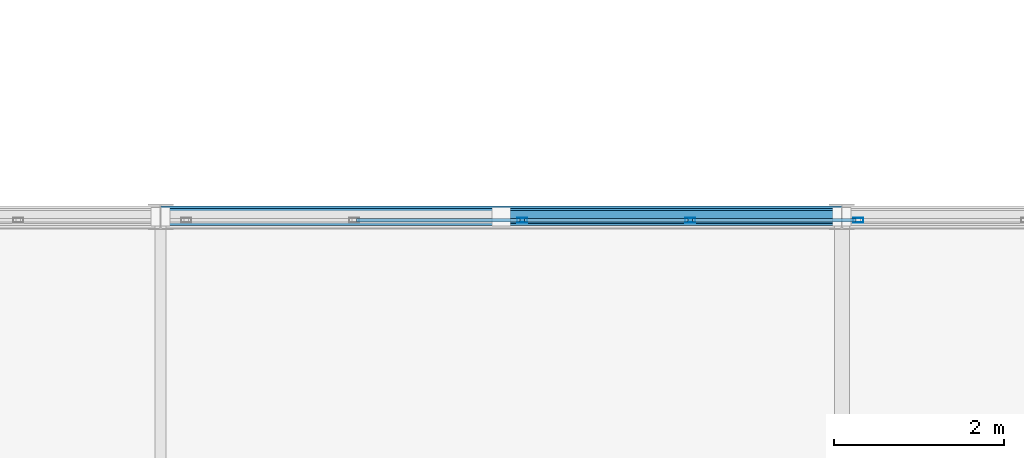
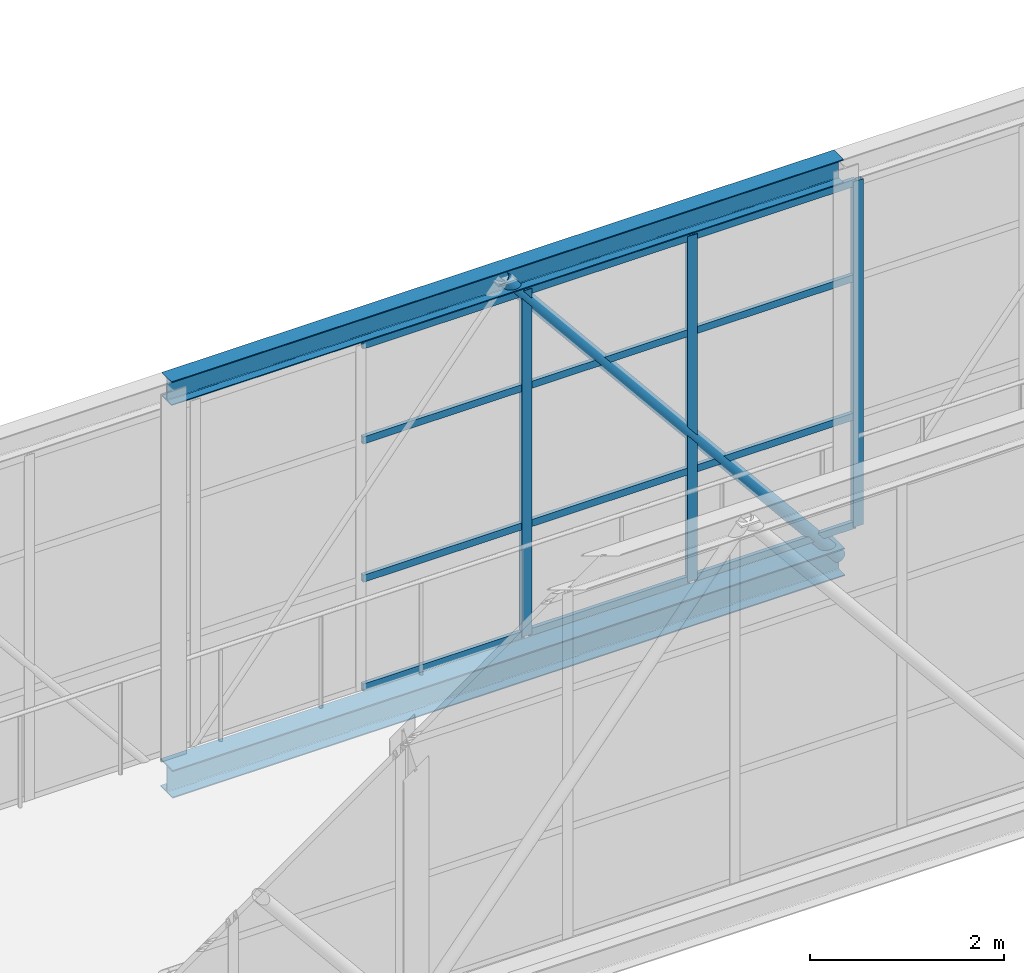
# One storey, part 154 of 248: 18 members, 1 element without a shape of its own.
"""IFC4 building model written with IfcOpenShell, lengths in metres."""

from ifc_helpers import new_model, si_unit, direction, frame, origin, origin_2d, place, context, subcontext, project, spatial, hollow_rectangle, hollow_circle, i_section, extrude, material, layer, layer_set, material_profile, profile_set, type_object, element, aggregate, save


model = new_model("IFC4")

# Units and contexts
model_context = context("Model", 3, precision=1e-05, world=origin(), true_north=direction((0.0, 1.0)))
body_context = subcontext(model_context, "Body", "Model", "MODEL_VIEW")
ifc_project = project(units=[si_unit("LENGTHUNIT", "METRE"), si_unit("AREAUNIT", "SQUARE_METRE"), si_unit("VOLUMEUNIT", "CUBIC_METRE"), si_unit("PLANEANGLEUNIT", "RADIAN"), si_unit("MASSUNIT", "GRAM", prefix="KILO")], contexts=[model_context])

# Site, building, storey
site_placement = place(None, origin())
site = spatial("IfcSite", under=ifc_project, at=site_placement, CompositionType="ELEMENT")
building_placement = place(site_placement, origin())
building = spatial("IfcBuilding", under=site, at=building_placement, Name="Canggui Botanical Conservatory", CompositionType="ELEMENT")
storey_placement = place(building_placement, frame((0.0, 0.0, 5.39990234375)))
storey = spatial("IfcBuildingStorey", under=building, at=storey_placement, Name="L02", CompositionType="ELEMENT", Elevation=5.39990234375)

# Curtain wall, members
ifc_material_1 = material(Name="Thermally Broken Aluminium", Category="aluminium")
ifc_layer = layer(ifc_material_1, 0.1201171875, Name="Thermally Broken Aluminium", Category="aluminium")
ifc_layer_set = layer_set([ifc_layer], Name="Thermally Broken Aluminium")
curtain_wall_type = type_object("IfcCurtainWallType", Name="CW-STICK-B", PredefinedType="USERDEFINED", material=ifc_layer_set)
curtain_wall_placement = place(storey_placement, origin())
curtain_wall = element("IfcCurtainWall", 1, at=curtain_wall_placement, inside=storey, type_object=curtain_wall_type, Name="Facade Curtain Wall CW-SB-04-2", ObjectType="STICK GLAZED WALL", PredefinedType="USERDEFINED")
ifc_material_profile_1 = material_profile(ifc_material_1, hollow_rectangle(XDim=0.054931640625, YDim=0.1201171875, WallThickness=0.0029296875, at=origin_2d()), Name="CWM 55x120x3")
ifc_profile_set_1 = profile_set([ifc_material_profile_1], Name="Thermally Broken Aluminium")
member_type_1 = type_object("IfcMemberType", Name="CWM-05", PredefinedType="MULLION", material=ifc_profile_set_1)
member_1_placement = place(storey_placement, frame((85.748046875, 79.9599609375, 0.0), z_axis=(0.0, 0.0, 1.0), x_axis=(0.0, 1.0, 0.0)))
member_1 = element("IfcMember", 2, at=member_1_placement, type_object=member_type_1, Name="CW-05 mullion 11", PredefinedType="MULLION", context=body_context, shape_type="SweptSolid", body=[
    extrude(hollow_rectangle(XDim=0.054931640625, YDim=0.1201171875, WallThickness=0.0029296875, at=origin_2d()), origin(), (0.0, 0.0, 1.0), 4.35009765625),
])
member_2_placement = place(storey_placement, frame((87.720947265625, 79.9599609375, 0.0), z_axis=(0.0, 0.0, 1.0), x_axis=(0.0, 1.0, 0.0)))
member_2 = element("IfcMember", 3, at=member_2_placement, type_object=member_type_1, Name="CW-05 mullion 12", PredefinedType="MULLION", context=body_context, shape_type="SweptSolid", body=[
    extrude(hollow_rectangle(XDim=0.054931640625, YDim=0.1201171875, WallThickness=0.0029296875, at=origin_2d()), origin(), (0.0, 0.0, 1.0), 4.35009765625),
])
member_3_placement = place(storey_placement, frame((89.69384765625, 79.9599609375, 0.0), z_axis=(0.0, 0.0, 1.0), x_axis=(0.0, 1.0, 0.0)))
member_3 = element("IfcMember", 4, at=member_3_placement, type_object=member_type_1, Name="CW-05 mullion 13", PredefinedType="MULLION", context=body_context, shape_type="SweptSolid", body=[
    extrude(hollow_rectangle(XDim=0.054931640625, YDim=0.1201171875, WallThickness=0.0029296875, at=origin_2d()), origin(), (0.0, 0.0, 1.0), 4.35009765625),
])
ifc_material_profile_2 = material_profile(ifc_material_1, hollow_rectangle(XDim=0.044921875, YDim=0.090087890625, WallThickness=0.0029296875, at=origin_2d()), Name="CWT 45x90x3")
ifc_profile_set_2 = profile_set([ifc_material_profile_2], Name="Thermally Broken Aluminium")
member_type_2 = type_object("IfcMemberType", Name="CWT-05", PredefinedType="USERDEFINED", material=ifc_profile_set_2)
member_4_placement = place(storey_placement, frame((83.802734375, 79.9599609375, 0.022705078125), z_axis=(1.0, 0.0, 0.0), x_axis=(0.0, 1.0, 0.0)))
member_4 = element("IfcMember", 5, at=member_4_placement, type_object=member_type_2, Name="CW-05 transom 10.1", ObjectType="TRANSOM", PredefinedType="USERDEFINED", context=body_context, shape_type="SweptSolid", body=[
    extrude(hollow_rectangle(XDim=0.044921875, YDim=0.090087890625, WallThickness=0.0029296875, at=origin_2d()), origin(), (0.0, 0.0, 1.0), 1.91796875),
])
member_5_placement = place(storey_placement, frame((83.802734375, 79.9599609375, 1.39208984375), z_axis=(1.0, 0.0, 0.0), x_axis=(0.0, 1.0, 0.0)))
member_5 = element("IfcMember", 6, at=member_5_placement, type_object=member_type_2, Name="CW-05 transom 10.2", ObjectType="TRANSOM", PredefinedType="USERDEFINED", context=body_context, shape_type="SweptSolid", body=[
    extrude(hollow_rectangle(XDim=0.044921875, YDim=0.090087890625, WallThickness=0.0029296875, at=origin_2d()), origin(), (0.0, 0.0, 1.0), 1.91796875),
])
member_6_placement = place(storey_placement, frame((83.802734375, 79.9599609375, 3.132080078125), z_axis=(1.0, 0.0, 0.0), x_axis=(0.0, 1.0, 0.0)))
member_6 = element("IfcMember", 7, at=member_6_placement, type_object=member_type_2, Name="CW-05 transom 10.3", ObjectType="TRANSOM", PredefinedType="USERDEFINED", context=body_context, shape_type="SweptSolid", body=[
    extrude(hollow_rectangle(XDim=0.044921875, YDim=0.090087890625, WallThickness=0.0029296875, at=origin_2d()), origin(), (0.0, 0.0, 1.0), 1.91796875),
])
member_7_placement = place(storey_placement, frame((83.802734375, 79.9599609375, 4.32763671875), z_axis=(1.0, 0.0, 0.0), x_axis=(0.0, 1.0, 0.0)))
member_7 = element("IfcMember", 8, at=member_7_placement, type_object=member_type_2, Name="CW-05 transom 10.4", ObjectType="TRANSOM", PredefinedType="USERDEFINED", context=body_context, shape_type="SweptSolid", body=[
    extrude(hollow_rectangle(XDim=0.044921875, YDim=0.090087890625, WallThickness=0.0029296875, at=origin_2d()), origin(), (0.0, 0.0, 1.0), 1.91796875),
])
member_8_placement = place(storey_placement, frame((85.775634765625, 79.9599609375, 0.022705078125), z_axis=(1.0, 0.0, 0.0), x_axis=(0.0, 1.0, 0.0)))
member_8 = element("IfcMember", 9, at=member_8_placement, type_object=member_type_2, Name="CW-05 transom 11.1", ObjectType="TRANSOM", PredefinedType="USERDEFINED", context=body_context, shape_type="SweptSolid", body=[
    extrude(hollow_rectangle(XDim=0.044921875, YDim=0.090087890625, WallThickness=0.0029296875, at=origin_2d()), origin(), (0.0, 0.0, 1.0), 1.917724609375),
])
member_9_placement = place(storey_placement, frame((85.775634765625, 79.9599609375, 1.39208984375), z_axis=(1.0, 0.0, 0.0), x_axis=(0.0, 1.0, 0.0)))
member_9 = element("IfcMember", 10, at=member_9_placement, type_object=member_type_2, Name="CW-05 transom 11.2", ObjectType="TRANSOM", PredefinedType="USERDEFINED", context=body_context, shape_type="SweptSolid", body=[
    extrude(hollow_rectangle(XDim=0.044921875, YDim=0.090087890625, WallThickness=0.0029296875, at=origin_2d()), origin(), (0.0, 0.0, 1.0), 1.917724609375),
])
member_10_placement = place(storey_placement, frame((85.775634765625, 79.9599609375, 3.132080078125), z_axis=(1.0, 0.0, 0.0), x_axis=(0.0, 1.0, 0.0)))
member_10 = element("IfcMember", 11, at=member_10_placement, type_object=member_type_2, Name="CW-05 transom 11.3", ObjectType="TRANSOM", PredefinedType="USERDEFINED", context=body_context, shape_type="SweptSolid", body=[
    extrude(hollow_rectangle(XDim=0.044921875, YDim=0.090087890625, WallThickness=0.0029296875, at=origin_2d()), origin(), (0.0, 0.0, 1.0), 1.917724609375),
])
member_11_placement = place(storey_placement, frame((85.775634765625, 79.9599609375, 4.32763671875), z_axis=(1.0, 0.0, 0.0), x_axis=(0.0, 1.0, 0.0)))
member_11 = element("IfcMember", 12, at=member_11_placement, type_object=member_type_2, Name="CW-05 transom 11.4", ObjectType="TRANSOM", PredefinedType="USERDEFINED", context=body_context, shape_type="SweptSolid", body=[
    extrude(hollow_rectangle(XDim=0.044921875, YDim=0.090087890625, WallThickness=0.0029296875, at=origin_2d()), origin(), (0.0, 0.0, 1.0), 1.917724609375),
])
member_12_placement = place(storey_placement, frame((87.74853515625, 79.9599609375, 0.022705078125), z_axis=(1.0, 0.0, 0.0), x_axis=(0.0, 1.0, 0.0)))
member_12 = element("IfcMember", 13, at=member_12_placement, type_object=member_type_2, Name="CW-05 transom 12.1", ObjectType="TRANSOM", PredefinedType="USERDEFINED", context=body_context, shape_type="SweptSolid", body=[
    extrude(hollow_rectangle(XDim=0.044921875, YDim=0.090087890625, WallThickness=0.0029296875, at=origin_2d()), origin(), (0.0, 0.0, 1.0), 1.917724609375),
])
member_13_placement = place(storey_placement, frame((87.74853515625, 79.9599609375, 1.39208984375), z_axis=(1.0, 0.0, 0.0), x_axis=(0.0, 1.0, 0.0)))
member_13 = element("IfcMember", 14, at=member_13_placement, type_object=member_type_2, Name="CW-05 transom 12.2", ObjectType="TRANSOM", PredefinedType="USERDEFINED", context=body_context, shape_type="SweptSolid", body=[
    extrude(hollow_rectangle(XDim=0.044921875, YDim=0.090087890625, WallThickness=0.0029296875, at=origin_2d()), origin(), (0.0, 0.0, 1.0), 1.917724609375),
])
member_14_placement = place(storey_placement, frame((87.74853515625, 79.9599609375, 3.132080078125), z_axis=(1.0, 0.0, 0.0), x_axis=(0.0, 1.0, 0.0)))
member_14 = element("IfcMember", 15, at=member_14_placement, type_object=member_type_2, Name="CW-05 transom 12.3", ObjectType="TRANSOM", PredefinedType="USERDEFINED", context=body_context, shape_type="SweptSolid", body=[
    extrude(hollow_rectangle(XDim=0.044921875, YDim=0.090087890625, WallThickness=0.0029296875, at=origin_2d()), origin(), (0.0, 0.0, 1.0), 1.917724609375),
])
member_15_placement = place(storey_placement, frame((87.74853515625, 79.9599609375, 4.32763671875), z_axis=(1.0, 0.0, 0.0), x_axis=(0.0, 1.0, 0.0)))
member_15 = element("IfcMember", 16, at=member_15_placement, type_object=member_type_2, Name="CW-05 transom 12.4", ObjectType="TRANSOM", PredefinedType="USERDEFINED", context=body_context, shape_type="SweptSolid", body=[
    extrude(hollow_rectangle(XDim=0.044921875, YDim=0.090087890625, WallThickness=0.0029296875, at=origin_2d()), origin(), (0.0, 0.0, 1.0), 1.917724609375),
])
aggregate(curtain_wall, [member_1, member_2, member_3, member_4, member_5, member_6, member_7, member_8, member_9, member_10, member_11, member_12, member_13, member_14, member_15])

# Members
ifc_material_2 = material(Name="Steel Q355C", Category="steel")
ifc_material_profile_3 = material_profile(ifc_material_2, hollow_circle(Radius=0.075927734375, WallThickness=0.006103515625, at=origin_2d()), Name="CHS 152x6")
ifc_profile_set_3 = profile_set([ifc_material_profile_3], Name="Steel Q355C")
member_type_3 = type_object("IfcMemberType", Name="MEM-GSD04", PredefinedType="RAFTER", material=ifc_profile_set_3)
member_16_placement = place(storey_placement, frame((85.5, 80.0, 4.550048828125), z_axis=(0.632384053133, 0.0, -0.774655026024), x_axis=(0.0, 1.0, 0.0)))
element("IfcMember", 17, at=member_16_placement, inside=storey, type_object=member_type_3, Name="SB-04 Truss Web Rafter 2.4B", PredefinedType="RAFTER", context=body_context, shape_type="SweptSolid", body=[
    extrude(hollow_circle(Radius=0.075927734375, WallThickness=0.006103515625, at=origin_2d()), origin(), (0.0, 0.0, 1.0), 6.3251953125),
])
ifc_material_3 = material(Name="Steel Q355B", Category="steel")
ifc_material_profile_4 = material_profile(ifc_material_3, i_section(OverallWidth=0.25, OverallDepth=0.35009765625, WebThickness=0.009033203125, FlangeThickness=0.013916015625, FilletRadius=0.02001953125, at=origin_2d()), Name="HM 350x250x9x14")
ifc_profile_set_4 = profile_set([ifc_material_profile_4], Name="Steel Q355B")
member_type_4 = type_object("IfcMemberType", Name="MEM-TC03", PredefinedType="CHORD", material=ifc_profile_set_4)
member_17_placement = place(storey_placement, frame((81.5, 80.0, -0.349853515625), z_axis=(1.0, 0.0, 0.0), x_axis=(0.0, 1.0, 0.0)))
element("IfcMember", 18, at=member_17_placement, inside=storey, type_object=member_type_4, Name="SB-04 Deck Truss Bottom Chord 2.4", PredefinedType="CHORD", context=body_context, shape_type="SweptSolid", body=[
    extrude(i_section(OverallWidth=0.25, OverallDepth=0.35009765625, WebThickness=0.009033203125, FlangeThickness=0.013916015625, FilletRadius=0.02001953125, at=origin_2d()), origin(), (0.0, 0.0, 1.0), 8.0),
])
ifc_material_profile_5 = material_profile(ifc_material_3, i_section(OverallWidth=0.199951171875, OverallDepth=0.300048828125, WebThickness=0.008056640625, FlangeThickness=0.011962890625, FilletRadius=0.01806640625, at=origin_2d()), Name="HM 300x200x8x12")
ifc_profile_set_5 = profile_set([ifc_material_profile_5], Name="Steel Q355B")
member_type_5 = type_object("IfcMemberType", Name="MEM-TC04", PredefinedType="CHORD", material=ifc_profile_set_5)
member_18_placement = place(storey_placement, frame((81.5, 80.0, 4.550048828125), z_axis=(1.0, 0.0, 0.0), x_axis=(0.0, 1.0, 0.0)))
element("IfcMember", 19, at=member_18_placement, inside=storey, type_object=member_type_5, Name="SB-04 Roof Truss Top Chord 2.4", PredefinedType="CHORD", context=body_context, shape_type="SweptSolid", body=[
    extrude(i_section(OverallWidth=0.199951171875, OverallDepth=0.300048828125, WebThickness=0.008056640625, FlangeThickness=0.011962890625, FilletRadius=0.01806640625, at=origin_2d()), origin(), (0.0, 0.0, 1.0), 8.0),
])

save(model, "model.ifc")
